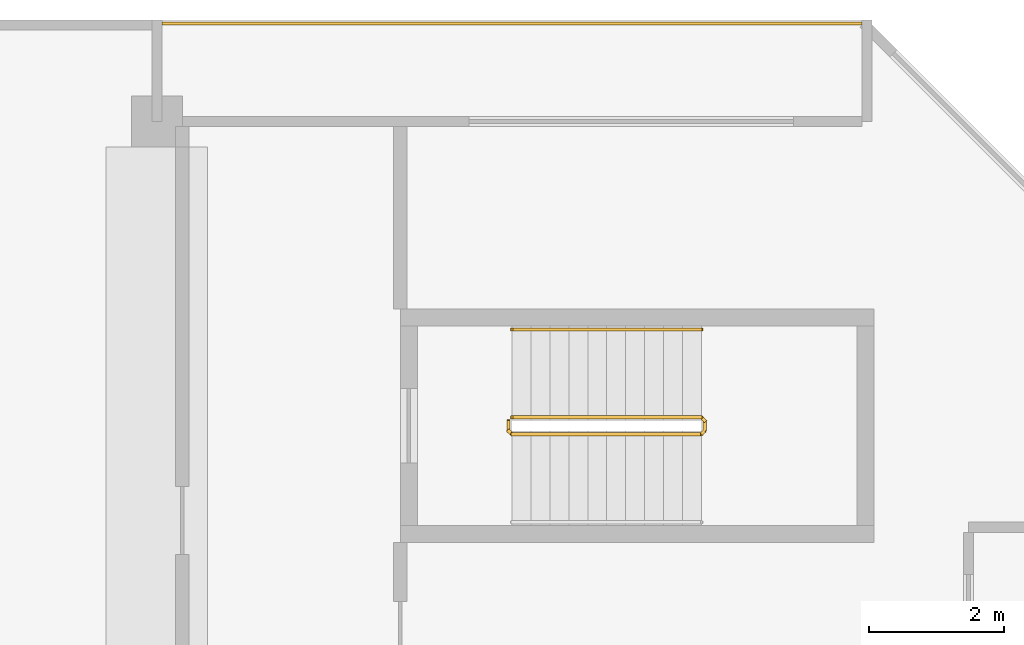
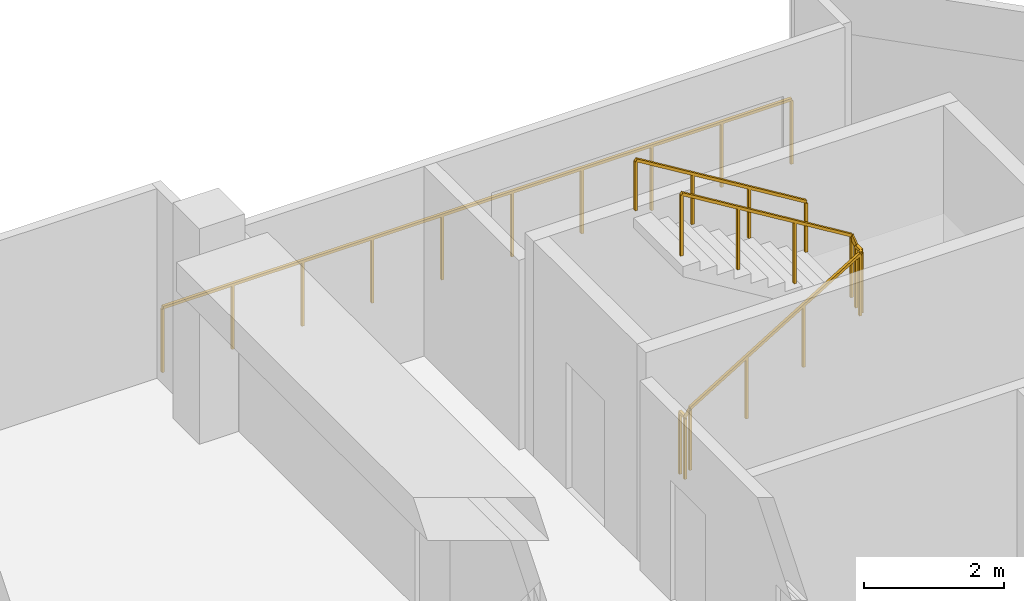
# One storey, part 11 of 11: 3 railings.
"""IFC4 building model written with IfcOpenShell, lengths in metres."""

from ifc_helpers import new_model, si_unit, direction, frame, origin, origin_2d, place, context, subcontext, project, spatial, rectangle, extrude, material, type_object, element, save


model = new_model("IFC4")

# Units and contexts
model_context = context("Model", 3, precision=1e-05, world=origin(), true_north=direction((0.0, 1.0)))
body_context = subcontext(model_context, "Body", "Model", "MODEL_VIEW")
ifc_project = project(units=[si_unit("LENGTHUNIT", "METRE"), si_unit("AREAUNIT", "SQUARE_METRE"), si_unit("VOLUMEUNIT", "CUBIC_METRE"), si_unit("PLANEANGLEUNIT", "RADIAN"), si_unit("MASSUNIT", "GRAM", prefix="KILO")], contexts=[model_context])

# Site, building, storey
site_placement = place(None, origin())
site = spatial("IfcSite", under=ifc_project, at=site_placement, CompositionType="ELEMENT")
building_placement = place(site_placement, origin())
building = spatial("IfcBuilding", under=site, at=building_placement, Name="Chenar Terraces", CompositionType="ELEMENT")
storey_placement = place(building_placement, frame((0.0, 0.0, 380.14990234375)))
storey = spatial("IfcBuildingStorey", under=building, at=storey_placement, Name="L89", CompositionType="ELEMENT", Elevation=380.14990234375)

# Railings
ifc_material_1 = material(Name="Stainless steel and glass", Category="steel")
railing_type_1 = type_object("IfcRailingType", Name="Loggia guard 1150", PredefinedType="GUARDRAIL", material=ifc_material_1)
railing_1_placement = place(storey_placement, frame((22.425048828125, 55.449951171875, 0.0)))
element("IfcRailing", 1, at=railing_1_placement, inside=storey, type_object=railing_type_1, Name="Loggia guard", PredefinedType="GUARDRAIL", context=body_context, shape_type="SweptSolid", body=[
    extrude(rectangle(XDim=0.048095703125, YDim=0.048095703125, at=origin_2d()), frame((0.0, 0.0, 1.1259765625), z_axis=(-1.0, 0.0, 0.0), x_axis=(0.0, -1.0, 0.0)), (0.0, 0.0, 1.0), 10.35009765625),
    extrude(rectangle(XDim=0.0419921875, YDim=0.0419921875, at=origin_2d()), origin(), (0.0, 0.0, 1.0), 1.101806640625),
    extrude(rectangle(XDim=0.0419921875, YDim=0.0419921875, at=origin_2d()), frame((-1.14990234375, 0.0, 0.0)), (0.0, 0.0, 1.0), 1.101806640625),
    extrude(rectangle(XDim=0.0419921875, YDim=0.0419921875, at=origin_2d()), frame((-2.300048828125, 0.0, 0.0)), (0.0, 0.0, 1.0), 1.101806640625),
    extrude(rectangle(XDim=0.0419921875, YDim=0.0419921875, at=origin_2d()), frame((-3.449951171875, 0.0, 0.0)), (0.0, 0.0, 1.0), 1.101806640625),
    extrude(rectangle(XDim=0.0419921875, YDim=0.0419921875, at=origin_2d()), frame((-4.60009765625, 0.0, 0.0)), (0.0, 0.0, 1.0), 1.101806640625),
    extrude(rectangle(XDim=0.0419921875, YDim=0.0419921875, at=origin_2d()), frame((-5.75, 0.0, 0.0)), (0.0, 0.0, 1.0), 1.101806640625),
    extrude(rectangle(XDim=0.0419921875, YDim=0.0419921875, at=origin_2d()), frame((-6.900146484375, 0.0, 0.0)), (0.0, 0.0, 1.0), 1.101806640625),
    extrude(rectangle(XDim=0.0419921875, YDim=0.0419921875, at=origin_2d()), frame((-8.050048828125, 0.0, 0.0)), (0.0, 0.0, 1.0), 1.101806640625),
    extrude(rectangle(XDim=0.0419921875, YDim=0.0419921875, at=origin_2d()), frame((-9.2001953125, 0.0, 0.0)), (0.0, 0.0, 1.0), 1.101806640625),
    extrude(rectangle(XDim=0.0419921875, YDim=0.0419921875, at=origin_2d()), frame((-10.35009765625, 0.0, 0.0)), (0.0, 0.0, 1.0), 1.101806640625),
])
ifc_material_2 = material(Name="Powder-coated steel", Category="steel")
railing_type_2 = type_object("IfcRailingType", Name="Stair guard 1100", PredefinedType="GUARDRAIL", material=ifc_material_2)
railing_2_placement = place(storey_placement, frame((17.25, 49.625, 3.75)))
element("IfcRailing", 2, at=railing_2_placement, inside=storey, type_object=railing_type_2, Name="L89 ST4 stair guard 1", PredefinedType="GUARDRAIL", context=body_context, shape_type="SweptSolid", body=[
    extrude(rectangle(XDim=0.048095703125, YDim=0.048095703125, at=origin_2d()), frame((0.0, 0.0, 1.076171875), z_axis=(0.854202870247, 0.0, -0.519939858505), x_axis=(0.0, 1.0, 0.0)), (0.0, 0.0, 1.0), 3.278076171875),
    extrude(rectangle(XDim=0.048095703125, YDim=0.048095703125, at=origin_2d()), frame((2.800048828125, 0.0, -0.62841796875), z_axis=(0.270899902878, -0.270899902878, -0.923702595667), x_axis=(0.707106781187, 0.707106781187, 0.0)), (0.0, 0.0, 1.0), 0.184814453125),
    extrude(rectangle(XDim=0.048095703125, YDim=0.048095703125, at=origin_2d()), frame((2.85009765625, -0.050048828125, -0.798828125), z_axis=(0.0, -1.0, 0.0), x_axis=(1.0, 0.0, 0.0)), (0.0, 0.0, 1.0), 0.14990234375),
    extrude(rectangle(XDim=0.048095703125, YDim=0.048095703125, at=origin_2d()), frame((2.85009765625, -0.199951171875, -0.798828125), z_axis=(-0.707106781187, -0.707106781187, 0.0), x_axis=(0.707106781187, -0.707106781187, 0.0)), (0.0, 0.0, 1.0), 0.07080078125),
    extrude(rectangle(XDim=0.048095703125, YDim=0.048095703125, at=origin_2d()), frame((2.800048828125, -0.25, -0.798828125), z_axis=(-0.854202870247, 0.0, -0.519939858505), x_axis=(0.0, -1.0, 0.0)), (0.0, 0.0, 1.0), 3.278076171875),
    extrude(rectangle(XDim=0.048095703125, YDim=0.048095703125, at=origin_2d()), frame((0.0, -0.25, -2.50341796875), z_axis=(-0.270899902878, 0.270899902878, -0.923702595667), x_axis=(-0.707106781187, -0.707106781187, 0.0)), (0.0, 0.0, 1.0), 0.184814453125),
    extrude(rectangle(XDim=0.048095703125, YDim=0.048095703125, at=origin_2d()), frame((-0.050048828125, -0.199951171875, -2.673828125), z_axis=(0.0, 1.0, 0.0), x_axis=(-1.0, 0.0, 0.0)), (0.0, 0.0, 1.0), 0.14990234375),
    extrude(rectangle(XDim=0.0419921875, YDim=0.0419921875, at=origin_2d()), origin(), (0.0, 0.0, 1.0), 1.052001953125),
    extrude(rectangle(XDim=0.0419921875, YDim=0.0419921875, at=origin_2d()), frame((0.933349609375, 0.0, -0.568115234375)), (0.0, 0.0, 1.0), 1.052001953125),
    extrude(rectangle(XDim=0.0419921875, YDim=0.0419921875, at=origin_2d()), frame((1.86669921875, 0.0, -1.13623046875)), (0.0, 0.0, 1.0), 1.052001953125),
    extrude(rectangle(XDim=0.0419921875, YDim=0.0419921875, at=origin_2d()), frame((2.800048828125, 0.0, -1.704345703125)), (0.0, 0.0, 1.0), 1.052001953125),
    extrude(rectangle(XDim=0.0419921875, YDim=0.0419921875, at=origin_2d()), frame((2.85009765625, -0.050048828125, -1.875)), (0.0, 0.0, 1.0), 1.052001953125),
    extrude(rectangle(XDim=0.0419921875, YDim=0.0419921875, at=origin_2d()), frame((2.85009765625, -0.199951171875, -1.875)), (0.0, 0.0, 1.0), 1.052001953125),
    extrude(rectangle(XDim=0.0419921875, YDim=0.0419921875, at=origin_2d()), frame((2.800048828125, -0.25, -1.875)), (0.0, 0.0, 1.0), 1.052001953125),
    extrude(rectangle(XDim=0.0419921875, YDim=0.0419921875, at=origin_2d()), frame((1.86669921875, -0.25, -2.443115234375)), (0.0, 0.0, 1.0), 1.052001953125),
    extrude(rectangle(XDim=0.0419921875, YDim=0.0419921875, at=origin_2d()), frame((0.933349609375, -0.25, -3.01123046875)), (0.0, 0.0, 1.0), 1.052001953125),
    extrude(rectangle(XDim=0.0419921875, YDim=0.0419921875, at=origin_2d()), frame((0.0, -0.25, -3.579345703125)), (0.0, 0.0, 1.0), 1.052001953125),
    extrude(rectangle(XDim=0.0419921875, YDim=0.0419921875, at=origin_2d()), frame((-0.050048828125, -0.199951171875, -3.75)), (0.0, 0.0, 1.0), 1.052001953125),
    extrude(rectangle(XDim=0.0419921875, YDim=0.0419921875, at=origin_2d()), frame((-0.050048828125, -0.050048828125, -3.75)), (0.0, 0.0, 1.0), 1.052001953125),
])
ifc_material_3 = material(Name="Powder-coated steel", Category="steel")
railing_type_3 = type_object("IfcRailingType", Name="Stair handrail 900", PredefinedType="HANDRAIL", material=ifc_material_3)
railing_3_placement = place(storey_placement, frame((20.050048828125, 50.925048828125, 2.045654296875)))
element("IfcRailing", 3, at=railing_3_placement, inside=storey, type_object=railing_type_3, Name="L89 ST4 stair handrail 2", PredefinedType="HANDRAIL", context=body_context, shape_type="SweptSolid", body=[
    extrude(rectangle(XDim=0.048095703125, YDim=0.048095703125, at=origin_2d()), frame((0.0, 0.0, 0.8759765625), z_axis=(-0.854202870247, 0.0, 0.519939858505), x_axis=(0.0, -1.0, 0.0)), (0.0, 0.0, 1.0), 3.278076171875),
    extrude(rectangle(XDim=0.0419921875, YDim=0.0419921875, at=origin_2d()), origin(), (0.0, 0.0, 1.0), 0.851806640625),
    extrude(rectangle(XDim=0.0419921875, YDim=0.0419921875, at=origin_2d()), frame((-0.933349609375, 0.0, 0.568115234375)), (0.0, 0.0, 1.0), 0.851806640625),
    extrude(rectangle(XDim=0.0419921875, YDim=0.0419921875, at=origin_2d()), frame((-1.86669921875, 0.0, 1.13623046875)), (0.0, 0.0, 1.0), 0.851806640625),
    extrude(rectangle(XDim=0.0419921875, YDim=0.0419921875, at=origin_2d()), frame((-2.800048828125, 0.0, 1.704345703125)), (0.0, 0.0, 1.0), 0.851806640625),
])

save(model, "model.ifc")
